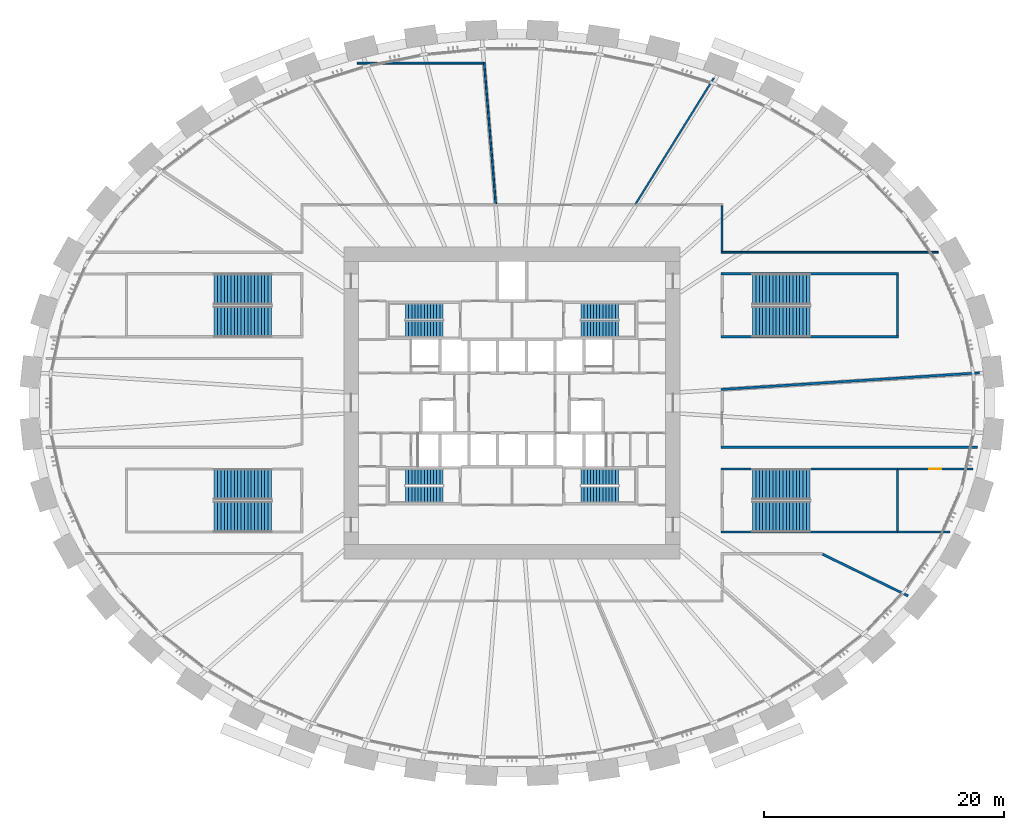
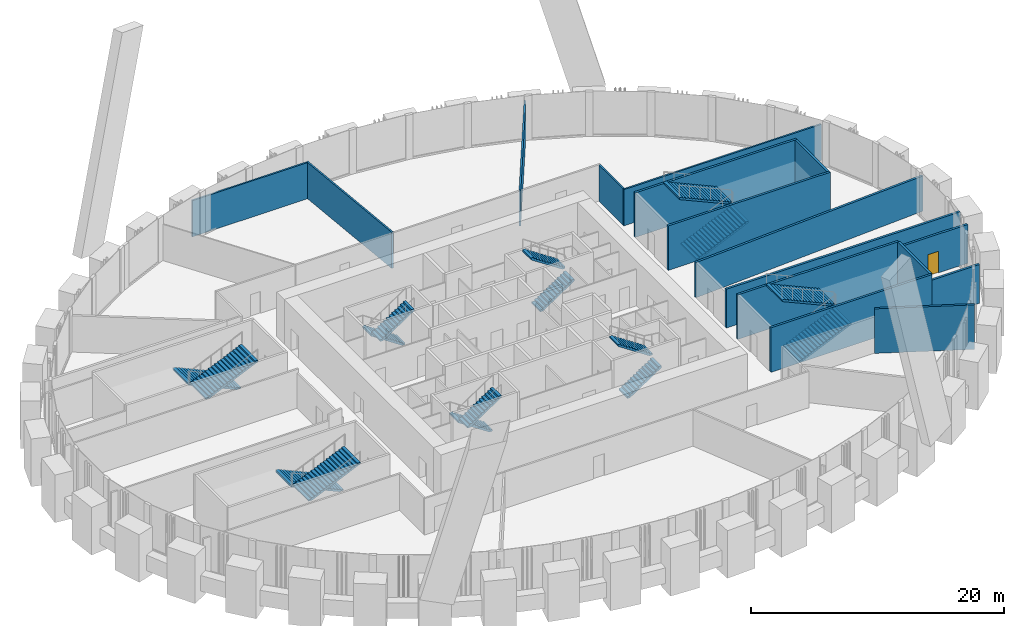
# One storey, part 10 of 21: 16 stair flights, 16 walls, 1 door, 1 opening, 8 elements without a shape of their own.
"""IFC4 building model written with IfcOpenShell, lengths in metres."""

from ifc_helpers import new_model, si_unit, direction, frame, frame_2d, origin, place, context, subcontext, project, spatial, polyline, rectangle, outline, extrude, source, transform, mapped, material, layer, layer_set, type_object, element, fill, aggregate, save


model = new_model("IFC4")

# Units and contexts
model_context = context("Model", 3, precision=1e-05, world=origin(), true_north=direction((0.0, 1.0)))
body_context = subcontext(model_context, "Body", "Model", "MODEL_VIEW")
ifc_project = project(units=[si_unit("LENGTHUNIT", "METRE"), si_unit("AREAUNIT", "SQUARE_METRE"), si_unit("VOLUMEUNIT", "CUBIC_METRE"), si_unit("PLANEANGLEUNIT", "RADIAN"), si_unit("MASSUNIT", "GRAM", prefix="KILO")], contexts=[model_context])

# Site, building, storey
site_placement = place(None, origin())
site = spatial("IfcSite", under=ifc_project, at=site_placement, CompositionType="ELEMENT")
building_placement = place(site_placement, origin())
building = spatial("IfcBuilding", under=site, at=building_placement, Name="Embergate Tower", CompositionType="ELEMENT")
storey_placement = place(building_placement, frame((0.0, 0.0, 33.5)))
storey = spatial("IfcBuildingStorey", under=building, at=storey_placement, Name="L04", CompositionType="ELEMENT", Elevation=33.5)

# Walls
ifc_material_1 = material(Name="Plasterboard on steel stud", Category="steel")
ifc_layer_1 = layer(ifc_material_1, 0.14990234375)
ifc_layer_set_1 = layer_set([ifc_layer_1], Name="Plasterboard on steel stud")
wall_type_1 = type_object("IfcWallType", Name="Partition wall 150 board", PredefinedType="PARTITIONING", material=ifc_layer_set_1)
shared_shape_1 = source(origin(), body_context, "Body", "SweptSolid", [
    extrude(rectangle(XDim=18.06787109375, YDim=0.14990234375, at=frame_2d((9.033935546875, 0.0))), origin(), (0.0, 0.0, 1.0), 3.5),
])
wall_1_placement = place(storey_placement, frame((35.492919921875, 12.550048828125, 0.0), z_axis=(0.0, 0.0, 1.0), x_axis=(-1.0, 0.0, 0.0)))
element("IfcWall", 1, at=wall_1_placement, inside=storey, type_object=wall_type_1, Name="Partition 051", PredefinedType="PARTITIONING", context=body_context, shape_type="MappedRepresentation", body=[
    mapped(shared_shape_1, transform((0.0, 0.0, 0.0))),
])
ifc_material_2 = material(Name="Concrete C40", Category="concrete")
ifc_layer_2 = layer(ifc_material_2, 0.199951171875)
ifc_layer_set_2 = layer_set([ifc_layer_2], Name="Concrete C40")
wall_type_2 = type_object("IfcWallType", Name="Stair enclosure wall RC 200", PredefinedType="STANDARD", material=ifc_layer_set_2)
shared_shape_2 = source(origin(), body_context, "Body", "SweptSolid", [
    extrude(rectangle(XDim=5.0498046875, YDim=0.199951171875, at=frame_2d((2.52490234375, 0.0))), origin(), (0.0, 0.0, 1.0), 4.300048828125),
])
for number, where, z_axis, x_axis, name in (
    (2, (32.1201171875, -10.64990234375, 0.0), (0.0, 0.0, 1.0), (0.0, 1.0, 0.0), "Stair wall 046"),
    (3, (32.1201171875, 10.64990234375, 0.0), (0.0, 0.0, 1.0), (0.0, -1.0, 0.0), "Stair wall 050"),
):
    element("IfcWall", number, at=place(storey_placement, frame(where, z_axis=z_axis, x_axis=x_axis)), inside=storey, type_object=wall_type_2, Name=name, PredefinedType="STANDARD", context=body_context, shape_type="MappedRepresentation", body=[
        mapped(shared_shape_2, transform((0.0, 0.0, 0.0))),
    ])
shared_shape_3 = source(origin(), body_context, "Body", "SweptSolid", [
    extrude(rectangle(XDim=14.820068359375, YDim=0.199951171875, at=frame_2d((7.41015625, 0.0))), origin(), (0.0, 0.0, 1.0), 4.300048828125),
])
for number, where, z_axis, x_axis, name in (
    (4, (17.39990234375, 5.5, 0.0), (0.0, 0.0, 1.0), (1.0, 0.0, 0.0), "Stair wall 042"),
    (5, (32.219970703125, 10.75, 0.0), (0.0, 0.0, 1.0), (-1.0, 0.0, 0.0), "Stair wall 049"),
):
    element("IfcWall", number, at=place(storey_placement, frame(where, z_axis=z_axis, x_axis=x_axis)), inside=storey, type_object=wall_type_2, Name=name, PredefinedType="STANDARD", context=body_context, shape_type="MappedRepresentation", body=[
        mapped(shared_shape_3, transform((0.0, 0.0, 0.0))),
    ])
shared_shape_4 = source(origin(), body_context, "Body", "SweptSolid", [
    extrude(rectangle(XDim=14.72021484375, YDim=0.199951171875, at=frame_2d((7.360107421875, 0.0))), origin(), (0.0, 0.0, 1.0), 4.300048828125),
])
for number, where, z_axis, x_axis, name in (
    (6, (17.39990234375, -10.75, 0.0), (0.0, 0.0, 1.0), (1.0, 0.0, 0.0), "Stair wall 038"),
    (7, (32.1201171875, -5.5, 0.0), (0.0, 0.0, 1.0), (-1.0, 0.0, 0.0), "Stair wall 047"),
):
    element("IfcWall", number, at=place(storey_placement, frame(where, z_axis=z_axis, x_axis=x_axis)), inside=storey, type_object=wall_type_2, Name=name, PredefinedType="STANDARD", context=body_context, shape_type="MappedRepresentation", body=[
        mapped(shared_shape_4, transform((0.0, 0.0, 0.0))),
    ])
shared_shape_5 = source(origin(), body_context, "Body", "SweptSolid", [
    extrude(rectangle(XDim=3.800048828125, YDim=0.14990234375, at=frame_2d((1.89990234375, 0.0))), origin(), (0.0, 0.0, 1.0), 3.5),
])
wall_2_placement = place(storey_placement, frame((17.5, 16.425048828125, 0.0), z_axis=(0.0, 0.0, 1.0), x_axis=(0.0, -1.0, 0.0)))
element("IfcWall", 8, at=wall_2_placement, inside=storey, type_object=wall_type_1, Name="Partition 044", PredefinedType="PARTITIONING", context=body_context, shape_type="MappedRepresentation", body=[
    mapped(shared_shape_5, transform((0.0, 0.0, 0.0))),
])
shared_shape_6 = source(origin(), body_context, "Body", "SweptSolid", [
    extrude(rectangle(XDim=12.37890625, YDim=0.14990234375, at=frame_2d((6.189453125, 0.0))), origin(), (0.0, 0.0, 1.0), 3.5),
])
wall_3_placement = place(storey_placement, frame((10.2890625, 16.56396484375, 0.0), z_axis=(0.0, 0.0, 1.0), x_axis=(0.527674576674, 0.849446608759, 0.0)))
element("IfcWall", 9, at=wall_3_placement, inside=storey, type_object=wall_type_1, Name="Partition 031", PredefinedType="PARTITIONING", context=body_context, shape_type="MappedRepresentation", body=[
    mapped(shared_shape_6, transform((0.0, 0.0, 0.0))),
])
shared_shape_7 = source(origin(), body_context, "Body", "SweptSolid", [
    extrude(rectangle(XDim=10.52099609375, YDim=0.14990234375, at=frame_2d((5.260498046875, 0.0))), origin(), (0.0, 0.0, 1.0), 3.5),
])
wall_4_placement = place(storey_placement, frame((-2.388916015625, 28.31103515625, 0.0), z_axis=(0.0, 0.0, 1.0), x_axis=(-1.0, 0.0, 0.0)))
element("IfcWall", 10, at=wall_4_placement, inside=storey, type_object=wall_type_1, Name="Partition 026", PredefinedType="PARTITIONING", context=body_context, shape_type="MappedRepresentation", body=[
    mapped(shared_shape_7, transform((0.0, 0.0, 0.0))),
])
shared_shape_8 = source(origin(), body_context, "Body", "SweptSolid", [
    extrude(rectangle(XDim=11.850341796875, YDim=0.14990234375, at=frame_2d((5.92529296875, 0.0))), origin(), (0.0, 0.0, 1.0), 3.5),
])
wall_5_placement = place(storey_placement, frame((-1.35498046875, 16.574951171875, 0.0), z_axis=(0.0, 0.0, 1.0), x_axis=(-0.081439276958, 0.996678305256, 0.0)))
element("IfcWall", 11, at=wall_5_placement, inside=storey, type_object=wall_type_1, Name="Partition 027", PredefinedType="PARTITIONING", context=body_context, shape_type="MappedRepresentation", body=[
    mapped(shared_shape_8, transform((0.0, 0.0, 0.0))),
])
ifc_material_3 = material(Name="Blockwork, plastered", Category="masonry")
ifc_layer_3 = layer(ifc_material_3, 0.199951171875)
ifc_layer_set_3 = layer_set([ifc_layer_3], Name="Blockwork, plastered")
wall_type_3 = type_object("IfcWallType", Name="Partition wall 200 block", PredefinedType="PARTITIONING", material=ifc_layer_set_3)
shared_shape_9 = source(origin(), body_context, "Body", "SweptSolid", [
    extrude(rectangle(XDim=21.598876953125, YDim=0.199951171875, at=frame_2d((10.79931640625, 0.0))), origin(), (0.0, 0.0, 1.0), 3.39990234375),
])
wall_6_placement = place(storey_placement, frame((17.39990234375, 1.12109375, 0.0), z_axis=(0.0, 0.0, 1.0), x_axis=(0.997936094698, 0.06421488066, 0.0)))
element("IfcWall", 12, at=wall_6_placement, inside=storey, type_object=wall_type_3, Name="Partition 041", PredefinedType="PARTITIONING", context=body_context, shape_type="MappedRepresentation", body=[
    mapped(shared_shape_9, transform((0.0, 0.0, 0.0))),
])
shared_shape_10 = source(origin(), body_context, "Body", "SweptSolid", [
    extrude(rectangle(XDim=7.928466796875, YDim=0.199951171875, at=frame_2d((3.96435546875, 0.0))), origin(), (0.0, 0.0, 1.0), 4.300048828125),
])
wall_7_placement = place(storey_placement, frame((25.87109375, -12.60302734375, 0.0), z_axis=(0.0, 0.0, 1.0), x_axis=(0.899022507869, -0.437902421031, 0.0)))
element("IfcWall", 13, at=wall_7_placement, inside=storey, type_object=wall_type_3, Name="Partition 045", PredefinedType="PARTITIONING", context=body_context, shape_type="MappedRepresentation", body=[
    mapped(shared_shape_10, transform((0.0, 0.0, 0.0))),
])

# Wall, opening, door
shared_shape_11 = source(origin(), body_context, "Body", "SweptSolid", [
    extrude(rectangle(XDim=6.303955078125, YDim=0.199951171875, at=frame_2d((3.15185546875, 0.0))), origin(), (0.0, 0.0, 1.0), 3.75),
])
wall_8_placement = place(storey_placement, frame((32.1201171875, -5.5, 0.0), z_axis=(0.0, 0.0, 1.0), x_axis=(1.0, 0.0, 0.0)))
wall_8 = element("IfcWall", 14, at=wall_8_placement, inside=storey, type_object=wall_type_3, Name="Partition 048", PredefinedType="PARTITIONING", context=body_context, shape_type="MappedRepresentation", body=[
    mapped(shared_shape_11, transform((0.0, 0.0, 0.0))),
])
shared_shape_12 = source(origin(), body_context, "Body", "SweptSolid", [
    extrude(rectangle(XDim=1.0, YDim=2.10009765625, at=frame_2d((0.5, 1.050048828125))), frame((0.0, 0.10986328125, 0.0), z_axis=(0.0, -1.0, 0.0), x_axis=(1.0, 0.0, 0.0)), (0.0, 0.0, 1.0), 0.219970703125),
])
opening_placement = place(wall_8_placement, frame((2.652099609375, 0.0, 0.0)))
opening = element("IfcOpeningElement", 15, at=opening_placement, cuts=wall_8, Name="Opening DS-098", PredefinedType="OPENING", context=body_context, shape_type="MappedRepresentation", body=[
    mapped(shared_shape_12, transform((0.0, 0.0, 0.0))),
])
ifc_material_4 = material(Name="Timber door leaf, steel frame", Category="steel")
door_type = type_object("IfcDoorType", Name="Single door 1000x2100", OperationType="SINGLE_SWING_LEFT", PredefinedType="DOOR", material=ifc_material_4)
shared_shape_13 = source(origin(), body_context, "Body", "SweptSolid", [
    extrude(rectangle(XDim=1.0, YDim=2.10009765625, at=frame_2d((0.5, 1.050048828125))), frame((0.0, 0.02490234375, 0.0), z_axis=(0.0, -1.0, 0.0), x_axis=(1.0, 0.0, 0.0)), (0.0, 0.0, 1.0), 0.050048828125),
])
door_placement = place(opening_placement, origin())
door = element("IfcDoor", 16, at=door_placement, inside=storey, type_object=door_type, Name="Door to Wellness store", OperationType="SINGLE_SWING_LEFT", OverallHeight=2.10009765625, OverallWidth=1.0, PredefinedType="DOOR", context=body_context, shape_type="MappedRepresentation", body=[
    mapped(shared_shape_13, transform((0.0, 0.0, 0.0))),
])
fill(opening, door)

# Walls
shared_shape_14 = source(origin(), body_context, "Body", "SweptSolid", [
    extrude(rectangle(XDim=4.36376953125, YDim=0.199951171875, at=frame_2d((2.181884765625, 0.0))), origin(), (0.0, 0.0, 1.0), 3.75),
])
wall_9_placement = place(storey_placement, frame((36.48388671875, -10.75, 0.0), z_axis=(0.0, 0.0, 1.0), x_axis=(-1.0, 0.0, 0.0)))
element("IfcWall", 17, at=wall_9_placement, inside=storey, type_object=wall_type_3, Name="Partition 052", PredefinedType="PARTITIONING", context=body_context, shape_type="MappedRepresentation", body=[
    mapped(shared_shape_14, transform((0.0, 0.0, 0.0))),
])
shared_shape_15 = source(origin(), body_context, "Body", "SweptSolid", [
    extrude(rectangle(XDim=21.384033203125, YDim=0.199951171875, at=frame_2d((10.69189453125, 0.0))), origin(), (0.0, 0.0, 1.0), 3.75),
])
wall_10_placement = place(storey_placement, frame((38.783935546875, -3.699951171875, 0.0), z_axis=(0.0, 0.0, 1.0), x_axis=(-1.0, 0.0, 0.0)))
element("IfcWall", 18, at=wall_10_placement, inside=storey, type_object=wall_type_3, Name="Partition 053", PredefinedType="PARTITIONING", context=body_context, shape_type="MappedRepresentation", body=[
    mapped(shared_shape_15, transform((0.0, 0.0, 0.0))),
])

# Stair, stair flights
ifc_material_5 = material(Name="Exit stair")
stair_type_1 = type_object("IfcStairType", Name="Exit stair", PredefinedType="HALF_TURN_STAIR", material=ifc_material_5)
stair_1_placement = place(storey_placement, origin())
stair_1 = element("IfcStair", 19, at=stair_1_placement, inside=storey, type_object=stair_type_1, Name="L04 Exit stair 1", PredefinedType="HALF_TURN_STAIR")
stair_flight_type_1 = type_object("IfcStairFlightType", Name="Stair flight reinforced concrete", PredefinedType="STRAIGHT", material=ifc_material_2)
shared_shape_16 = source(origin(), body_context, "Body", "SweptSolid", [
    extrude(outline(polyline([(0.0, 0.0), (0.0, 0.173095703125), (0.260009765625, 0.173095703125), (0.260009765625, 0.34619140625), (0.52001953125, 0.34619140625), (0.52001953125, 0.519287109375), (0.780029296875, 0.519287109375), (0.780029296875, 0.6923828125), (1.0400390625, 0.6923828125), (1.0400390625, 0.865478515625), (1.300048828125, 0.865478515625), (1.300048828125, 1.03857421875), (1.56005859375, 1.03857421875), (1.56005859375, 1.21142578125), (1.820068359375, 1.21142578125), (1.820068359375, 1.384521484375), (2.080078125, 1.384521484375), (2.080078125, 1.5576171875), (2.340087890625, 1.5576171875), (2.340087890625, 1.730712890625), (2.60009765625, 1.730712890625), (2.60009765625, 1.90380859375), (2.860107421875, 1.90380859375), (2.860107421875, 2.076904296875), (3.1201171875, 2.076904296875), (3.1201171875, 2.25), (3.1201171875, 1.896728515625), (0.2705078125, 0.0), (0.0, 0.0)])), frame((0.0, 0.675048828125, 0.0), z_axis=(0.0, -1.0, 0.0), x_axis=(1.0, 0.0, 0.0)), (0.0, 0.0, 1.0), 1.35009765625),
])
stair_flight_1_placement = place(storey_placement, frame((-5.75, 7.625, 0.0), z_axis=(0.0, 0.0, 1.0), x_axis=(-1.0, 0.0, 0.0)))
stair_flight_1 = element("IfcStairFlight", 20, at=stair_flight_1_placement, type_object=stair_flight_type_1, Name="ST1 flight 1", NumberOfRisers=13, NumberOfTreads=12, PredefinedType="STRAIGHT", RiserHeight=0.173076923, TreadLength=0.26, context=body_context, shape_type="MappedRepresentation", body=[
    mapped(shared_shape_16, transform((0.0, 0.0, 0.0))),
])
stair_flight_2_placement = place(storey_placement, frame((-8.8701171875, 6.175048828125, 2.25), z_axis=(0.0, 0.0, 1.0), x_axis=(1.0, 0.0, 0.0)))
stair_flight_2 = element("IfcStairFlight", 21, at=stair_flight_2_placement, type_object=stair_flight_type_1, Name="ST1 flight 2", NumberOfRisers=13, NumberOfTreads=12, PredefinedType="STRAIGHT", RiserHeight=0.173076923, TreadLength=0.26, context=body_context, shape_type="MappedRepresentation", body=[
    mapped(shared_shape_16, transform((0.0, 0.0, 0.0))),
])
aggregate(stair_1, [stair_flight_1, stair_flight_2])

stair_2_placement = place(storey_placement, origin())
stair_2 = element("IfcStair", 22, at=stair_2_placement, inside=storey, type_object=stair_type_1, Name="L04 Exit stair 2", PredefinedType="HALF_TURN_STAIR")
stair_flight_3_placement = place(storey_placement, frame((5.75, 6.175048828125, 0.0), z_axis=(0.0, 0.0, 1.0), x_axis=(1.0, 0.0, 0.0)))
stair_flight_3 = element("IfcStairFlight", 23, at=stair_flight_3_placement, type_object=stair_flight_type_1, Name="ST2 flight 1", NumberOfRisers=13, NumberOfTreads=12, PredefinedType="STRAIGHT", RiserHeight=0.173076923, TreadLength=0.26, context=body_context, shape_type="MappedRepresentation", body=[
    mapped(shared_shape_16, transform((0.0, 0.0, 0.0))),
])
stair_flight_4_placement = place(storey_placement, frame((8.8701171875, 7.625, 2.25), z_axis=(0.0, 0.0, 1.0), x_axis=(-1.0, 0.0, 0.0)))
stair_flight_4 = element("IfcStairFlight", 24, at=stair_flight_4_placement, type_object=stair_flight_type_1, Name="ST2 flight 2", NumberOfRisers=13, NumberOfTreads=12, PredefinedType="STRAIGHT", RiserHeight=0.173076923, TreadLength=0.26, context=body_context, shape_type="MappedRepresentation", body=[
    mapped(shared_shape_16, transform((0.0, 0.0, 0.0))),
])
aggregate(stair_2, [stair_flight_3, stair_flight_4])

stair_3_placement = place(storey_placement, origin())
stair_3 = element("IfcStair", 25, at=stair_3_placement, inside=storey, type_object=stair_type_1, Name="L04 Exit stair 3", PredefinedType="HALF_TURN_STAIR")
stair_flight_5_placement = place(storey_placement, frame((-5.75, -6.175048828125, 0.0), z_axis=(0.0, 0.0, 1.0), x_axis=(-1.0, 0.0, 0.0)))
stair_flight_5 = element("IfcStairFlight", 26, at=stair_flight_5_placement, type_object=stair_flight_type_1, Name="ST3 flight 1", NumberOfRisers=13, NumberOfTreads=12, PredefinedType="STRAIGHT", RiserHeight=0.173076923, TreadLength=0.26, context=body_context, shape_type="MappedRepresentation", body=[
    mapped(shared_shape_16, transform((0.0, 0.0, 0.0))),
])
stair_flight_6_placement = place(storey_placement, frame((-8.8701171875, -7.625, 2.25), z_axis=(0.0, 0.0, 1.0), x_axis=(1.0, 0.0, 0.0)))
stair_flight_6 = element("IfcStairFlight", 27, at=stair_flight_6_placement, type_object=stair_flight_type_1, Name="ST3 flight 2", NumberOfRisers=13, NumberOfTreads=12, PredefinedType="STRAIGHT", RiserHeight=0.173076923, TreadLength=0.26, context=body_context, shape_type="MappedRepresentation", body=[
    mapped(shared_shape_16, transform((0.0, 0.0, 0.0))),
])
aggregate(stair_3, [stair_flight_5, stair_flight_6])

stair_4_placement = place(storey_placement, origin())
stair_4 = element("IfcStair", 28, at=stair_4_placement, inside=storey, type_object=stair_type_1, Name="L04 Exit stair 4", PredefinedType="HALF_TURN_STAIR")
stair_flight_7_placement = place(storey_placement, frame((5.75, -7.625, 0.0), z_axis=(0.0, 0.0, 1.0), x_axis=(1.0, 0.0, 0.0)))
stair_flight_7 = element("IfcStairFlight", 29, at=stair_flight_7_placement, type_object=stair_flight_type_1, Name="ST4 flight 1", NumberOfRisers=13, NumberOfTreads=12, PredefinedType="STRAIGHT", RiserHeight=0.173076923, TreadLength=0.26, context=body_context, shape_type="MappedRepresentation", body=[
    mapped(shared_shape_16, transform((0.0, 0.0, 0.0))),
])
stair_flight_8_placement = place(storey_placement, frame((8.8701171875, -6.175048828125, 2.25), z_axis=(0.0, 0.0, 1.0), x_axis=(-1.0, 0.0, 0.0)))
stair_flight_8 = element("IfcStairFlight", 30, at=stair_flight_8_placement, type_object=stair_flight_type_1, Name="ST4 flight 2", NumberOfRisers=13, NumberOfTreads=12, PredefinedType="STRAIGHT", RiserHeight=0.173076923, TreadLength=0.26, context=body_context, shape_type="MappedRepresentation", body=[
    mapped(shared_shape_16, transform((0.0, 0.0, 0.0))),
])
aggregate(stair_4, [stair_flight_7, stair_flight_8])

stair_type_2 = type_object("IfcStairType", Name="Podium exit stair RC", PredefinedType="HALF_TURN_STAIR", material=ifc_material_2)
stair_5_placement = place(storey_placement, origin())
stair_5 = element("IfcStair", 31, at=stair_5_placement, inside=storey, type_object=stair_type_2, Name="L04 Podium exit stair 1", PredefinedType="HALF_TURN_STAIR")
stair_flight_type_2 = type_object("IfcStairFlightType", Name="Podium exit stair flight RC", PredefinedType="STRAIGHT", material=ifc_material_2)
shared_shape_17 = source(origin(), body_context, "Body", "SweptSolid", [
    extrude(outline(polyline([(0.0, 0.0), (0.0, 0.125), (0.280029296875, 0.125), (0.280029296875, 0.25), (0.56005859375, 0.25), (0.56005859375, 0.375), (0.840087890625, 0.375), (0.840087890625, 0.5), (1.1201171875, 0.5), (1.1201171875, 0.625), (1.39990234375, 0.625), (1.39990234375, 0.75), (1.679931640625, 0.75), (1.679931640625, 0.875), (1.9599609375, 0.875), (1.9599609375, 1.0), (2.239990234375, 1.0), (2.239990234375, 1.125), (2.52001953125, 1.125), (2.52001953125, 1.25), (2.800048828125, 1.25), (2.800048828125, 1.375), (3.080078125, 1.375), (3.080078125, 1.5), (3.360107421875, 1.5), (3.360107421875, 1.625), (3.639892578125, 1.625), (3.639892578125, 1.75), (3.919921875, 1.75), (3.919921875, 1.875), (4.199951171875, 1.875), (4.199951171875, 2.0), (4.47998046875, 2.0), (4.47998046875, 2.125), (4.760009765625, 2.125), (4.760009765625, 2.25), (4.760009765625, 1.9609375), (0.36767578125, 0.0), (0.0, 0.0)])), frame((0.0, 1.27490234375, 0.0), z_axis=(0.0, -1.0, 0.0), x_axis=(1.0, 0.0, 0.0)), (0.0, 0.0, 1.0), 2.550048828125),
])
stair_flight_9_placement = place(storey_placement, frame((20.050048828125, 6.77490234375, 0.0), z_axis=(0.0, 0.0, 1.0), x_axis=(1.0, 0.0, 0.0)))
stair_flight_9 = element("IfcStairFlight", 32, at=stair_flight_9_placement, type_object=stair_flight_type_2, Name="P1 flight 1", NumberOfRisers=18, NumberOfTreads=17, PredefinedType="STRAIGHT", RiserHeight=0.125, TreadLength=0.28, context=body_context, shape_type="MappedRepresentation", body=[
    mapped(shared_shape_17, transform((0.0, 0.0, 0.0))),
])
stair_flight_10_placement = place(storey_placement, frame((24.81005859375, 9.47509765625, 2.25), z_axis=(0.0, 0.0, 1.0), x_axis=(-1.0, 0.0, 0.0)))
stair_flight_10 = element("IfcStairFlight", 33, at=stair_flight_10_placement, type_object=stair_flight_type_2, Name="P1 flight 2", NumberOfRisers=18, NumberOfTreads=17, PredefinedType="STRAIGHT", RiserHeight=0.125, TreadLength=0.28, context=body_context, shape_type="MappedRepresentation", body=[
    mapped(shared_shape_17, transform((0.0, 0.0, 0.0))),
])
aggregate(stair_5, [stair_flight_9, stair_flight_10])

stair_6_placement = place(storey_placement, origin())
stair_6 = element("IfcStair", 34, at=stair_6_placement, inside=storey, type_object=stair_type_2, Name="L04 Podium exit stair 2", PredefinedType="HALF_TURN_STAIR")
stair_flight_11_placement = place(storey_placement, frame((20.050048828125, -9.47509765625, 0.0), z_axis=(0.0, 0.0, 1.0), x_axis=(1.0, 0.0, 0.0)))
stair_flight_11 = element("IfcStairFlight", 35, at=stair_flight_11_placement, type_object=stair_flight_type_2, Name="P2 flight 1", NumberOfRisers=18, NumberOfTreads=17, PredefinedType="STRAIGHT", RiserHeight=0.125, TreadLength=0.28, context=body_context, shape_type="MappedRepresentation", body=[
    mapped(shared_shape_17, transform((0.0, 0.0, 0.0))),
])
stair_flight_12_placement = place(storey_placement, frame((24.81005859375, -6.77490234375, 2.25), z_axis=(0.0, 0.0, 1.0), x_axis=(-1.0, 0.0, 0.0)))
stair_flight_12 = element("IfcStairFlight", 36, at=stair_flight_12_placement, type_object=stair_flight_type_2, Name="P2 flight 2", NumberOfRisers=18, NumberOfTreads=17, PredefinedType="STRAIGHT", RiserHeight=0.125, TreadLength=0.28, context=body_context, shape_type="MappedRepresentation", body=[
    mapped(shared_shape_17, transform((0.0, 0.0, 0.0))),
])
aggregate(stair_6, [stair_flight_11, stair_flight_12])

stair_7_placement = place(storey_placement, origin())
stair_7 = element("IfcStair", 37, at=stair_7_placement, inside=storey, type_object=stair_type_2, Name="L04 Podium exit stair 3", PredefinedType="HALF_TURN_STAIR")
stair_flight_13_placement = place(storey_placement, frame((-20.050048828125, 9.47509765625, 0.0), z_axis=(0.0, 0.0, 1.0), x_axis=(-1.0, 0.0, 0.0)))
stair_flight_13 = element("IfcStairFlight", 38, at=stair_flight_13_placement, type_object=stair_flight_type_2, Name="P3 flight 1", NumberOfRisers=18, NumberOfTreads=17, PredefinedType="STRAIGHT", RiserHeight=0.125, TreadLength=0.28, context=body_context, shape_type="MappedRepresentation", body=[
    mapped(shared_shape_17, transform((0.0, 0.0, 0.0))),
])
stair_flight_14_placement = place(storey_placement, frame((-24.81005859375, 6.77490234375, 2.25), z_axis=(0.0, 0.0, 1.0), x_axis=(1.0, 0.0, 0.0)))
stair_flight_14 = element("IfcStairFlight", 39, at=stair_flight_14_placement, type_object=stair_flight_type_2, Name="P3 flight 2", NumberOfRisers=18, NumberOfTreads=17, PredefinedType="STRAIGHT", RiserHeight=0.125, TreadLength=0.28, context=body_context, shape_type="MappedRepresentation", body=[
    mapped(shared_shape_17, transform((0.0, 0.0, 0.0))),
])
aggregate(stair_7, [stair_flight_13, stair_flight_14])

stair_8_placement = place(storey_placement, origin())
stair_8 = element("IfcStair", 40, at=stair_8_placement, inside=storey, type_object=stair_type_2, Name="L04 Podium exit stair 4", PredefinedType="HALF_TURN_STAIR")
stair_flight_15_placement = place(storey_placement, frame((-20.050048828125, -6.77490234375, 0.0), z_axis=(0.0, 0.0, 1.0), x_axis=(-1.0, 0.0, 0.0)))
stair_flight_15 = element("IfcStairFlight", 41, at=stair_flight_15_placement, type_object=stair_flight_type_2, Name="P4 flight 1", NumberOfRisers=18, NumberOfTreads=17, PredefinedType="STRAIGHT", RiserHeight=0.125, TreadLength=0.28, context=body_context, shape_type="MappedRepresentation", body=[
    mapped(shared_shape_17, transform((0.0, 0.0, 0.0))),
])
stair_flight_16_placement = place(storey_placement, frame((-24.81005859375, -9.47509765625, 2.25), z_axis=(0.0, 0.0, 1.0), x_axis=(1.0, 0.0, 0.0)))
stair_flight_16 = element("IfcStairFlight", 42, at=stair_flight_16_placement, type_object=stair_flight_type_2, Name="P4 flight 2", NumberOfRisers=18, NumberOfTreads=17, PredefinedType="STRAIGHT", RiserHeight=0.125, TreadLength=0.28, context=body_context, shape_type="MappedRepresentation", body=[
    mapped(shared_shape_17, transform((0.0, 0.0, 0.0))),
])
aggregate(stair_8, [stair_flight_15, stair_flight_16])

save(model, "model.ifc")
